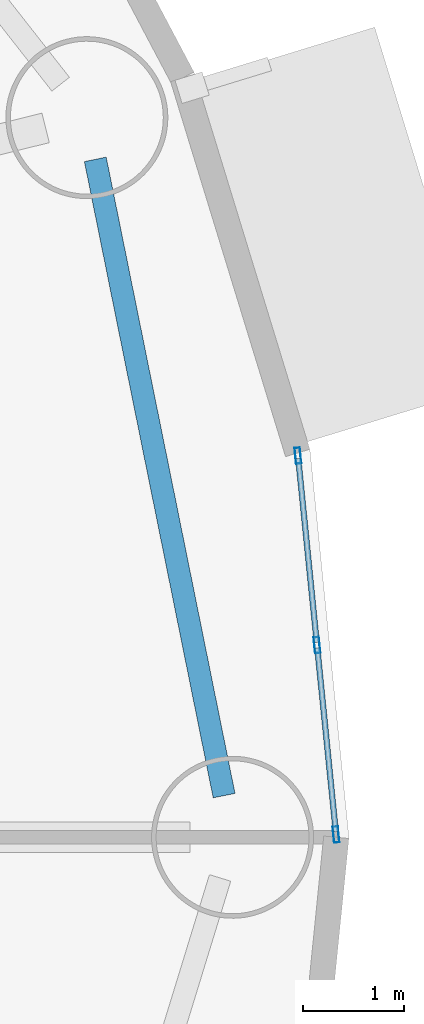
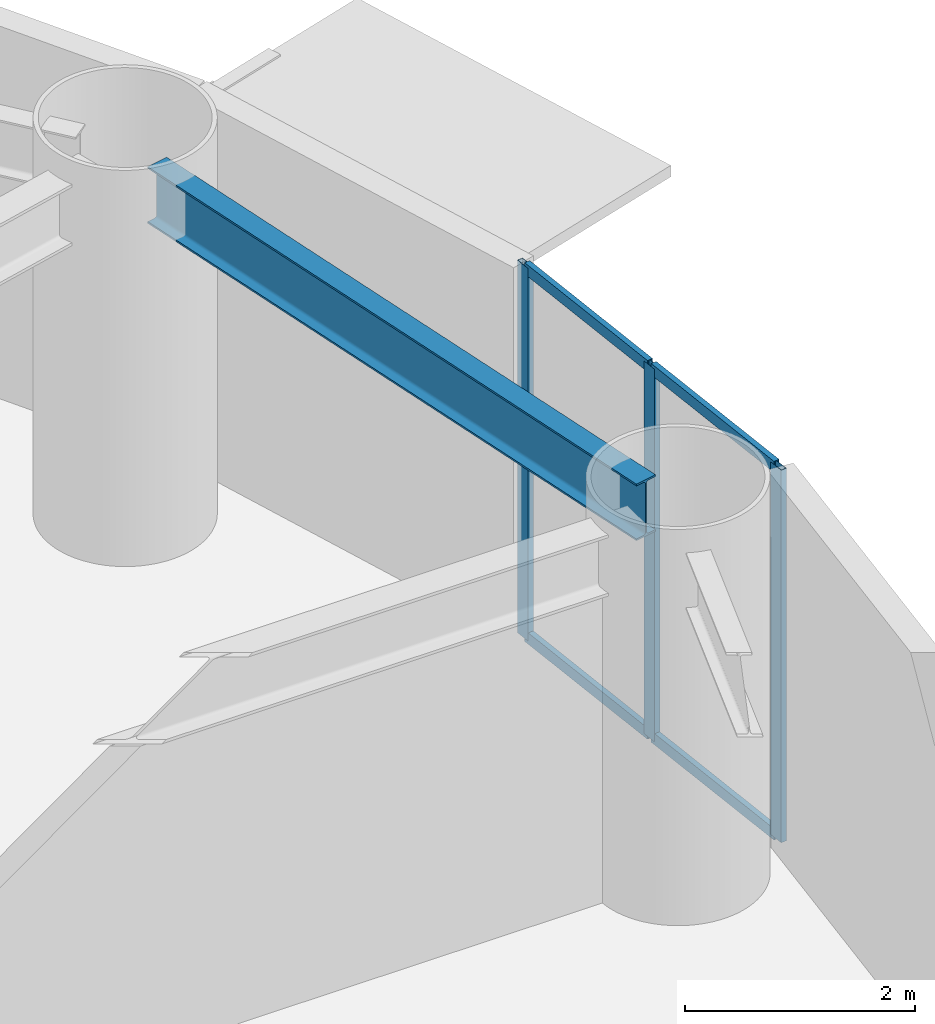
# One storey, part 8 of 32: 7 members, 1 beam, 1 element without a shape of its own.
"""IFC4 building model written with IfcOpenShell, lengths in metres."""

import ifcopenshell
import ifcopenshell.guid

model = None  # the IFC model being written
_history = None  # IfcOwnerHistory: only IFC2X3 demands one
_inside = {}  # id of a spatial element -> (the spatial element, [elements in it])
_under = {}  # id of a project, library or spatial element -> (it, [spatial elements below it])
_declared = {}  # id of a project -> (the project, [libraries it declares])
_typed = {}  # id of a type object -> (the type object, [elements of that type])
_made_of = {}  # id of a material, layer set ... -> (it, [elements and type objects made of it])


def new_model(schema):
    """Start an empty IFC model of exactly this schema.

    Asked for "IFC4X3", IfcOpenShell would pick the latest addendum, in which some entities
    have other attributes; the version numbers below select the first issue.
    IFC2X3 requires an IfcOwnerHistory on every rooted entity: one is made here for all.
    """
    global model, _history
    if schema == "IFC4X3":
        model = ifcopenshell.file(schema_version=(4, 3, 0, 0))
    else:
        model = ifcopenshell.file(schema=schema)
    _inside.clear()
    _under.clear()
    _declared.clear()
    _typed.clear()
    _made_of.clear()
    _history = None
    if model.schema == "IFC2X3":
        org = make("IfcOrganization", Name="unknown")
        user = make(
            "IfcPersonAndOrganization",
            ThePerson=make("IfcPerson", FamilyName="unknown"),
            TheOrganization=org,
        )
        app = make(
            "IfcApplication",
            ApplicationDeveloper=org,
            Version="unknown",
            ApplicationFullName="unknown",
            ApplicationIdentifier="unknown",
        )
        _history = make(
            "IfcOwnerHistory",
            OwningUser=user,
            OwningApplication=app,
            ChangeAction="ADDED",
            CreationDate=0,
        )
    return model


def make(cls, **values):
    """One entity of the class cls with the attributes given. An attribute that is None is left unset."""
    return model.create_entity(
        cls, **{name: value for name, value in values.items() if value is not None}
    )


def rooted(cls, **values):
    """An entity with a GlobalId (a new one), such as an element, a storey or a relation."""
    return make(cls, GlobalId=ifcopenshell.guid.new(), OwnerHistory=_history, **values)


def si_unit(unit_type, name, prefix=None):
    """IfcSIUnit, for example si_unit("LENGTHUNIT", "METRE", prefix="MILLI")."""
    return make("IfcSIUnit", UnitType=unit_type, Prefix=prefix, Name=name)


def assignment(units):
    """IfcUnitAssignment: the units of a project."""
    return None if units is None else make("IfcUnitAssignment", Units=units)


def point(xyz):
    """IfcCartesianPoint."""
    return None if xyz is None else make("IfcCartesianPoint", Coordinates=xyz)


def direction(xyz):
    """IfcDirection."""
    return None if xyz is None else make("IfcDirection", DirectionRatios=xyz)


def frame(location, z_axis=None, x_axis=None):
    """IfcAxis2Placement3D, a coordinate frame: its origin and axes. An axis left out is left unset."""
    return make(
        "IfcAxis2Placement3D",
        Location=point(location),
        Axis=direction(z_axis),
        RefDirection=direction(x_axis),
    )


def frame_2d(location, x_axis=None):
    """IfcAxis2Placement2D, a coordinate frame in the plane: its origin and x axis."""
    return make(
        "IfcAxis2Placement2D", Location=point(location), RefDirection=direction(x_axis)
    )


def origin():
    """The frame at (0, 0, 0) with its axes left unset."""
    return frame((0.0, 0.0, 0.0))


def origin_2d():
    """The frame at (0, 0) in the plane with its x axis left unset."""
    return frame_2d((0.0, 0.0))


def place(relative_to, where):
    """IfcLocalPlacement: puts the frame where relative to a parent placement (None: the world)."""
    return make(
        "IfcLocalPlacement", PlacementRelTo=relative_to, RelativePlacement=where
    )


def context(
    kind, dimensions, precision=None, world=None, true_north=None, identifier=None
):
    """IfcGeometricRepresentationContext, for example the 3D "Model" context."""
    return make(
        "IfcGeometricRepresentationContext",
        ContextIdentifier=identifier,
        ContextType=kind,
        CoordinateSpaceDimension=dimensions,
        Precision=precision,
        WorldCoordinateSystem=world,
        TrueNorth=true_north,
    )


def subcontext(parent, identifier, kind, view, scale=None):
    """IfcGeometricRepresentationSubContext, for example "Body" below "Model"."""
    return make(
        "IfcGeometricRepresentationSubContext",
        ContextIdentifier=identifier,
        ContextType=kind,
        ParentContext=parent,
        TargetScale=scale,
        TargetView=view,
    )


def project(units=None, contexts=None):
    """IfcProject with its units and contexts."""
    return rooted(
        "IfcProject",
        Name="project",
        RepresentationContexts=contexts,
        UnitsInContext=assignment(units),
    )


def spatial(cls, under=None, at=None, **own):
    """A site, building, storey or space (cls), placed at a placement, below another one or the project."""
    s = rooted(cls, ObjectPlacement=at, **own)
    if under is not None:
        _under.setdefault(under.id(), (under, []))[1].append(s)
    return s


def profile(cls, at=None, kind="AREA", **sizes):
    """A parametric profile (cls). Its sizes go by their IFC names, for example OverallWidth=200.0."""
    return make(cls, ProfileType=kind, Position=at, **sizes)


def hollow_rectangle(**sizes):
    """IfcRectangleHollowProfileDef."""
    return profile("IfcRectangleHollowProfileDef", **sizes)


def i_section(**sizes):
    """IfcIShapeProfileDef."""
    return profile("IfcIShapeProfileDef", **sizes)


def extrude(swept, where, along, depth):
    """IfcExtrudedAreaSolid: the profile swept, set in the frame where, extruded along a direction by depth."""
    return make(
        "IfcExtrudedAreaSolid",
        SweptArea=swept,
        Position=where,
        ExtrudedDirection=direction(along),
        Depth=depth,
    )


def shape(context_of_items, identifier, shape_type, items):
    """IfcShapeRepresentation: the items that make up one representation, for example the "Body"."""
    return make(
        "IfcShapeRepresentation",
        ContextOfItems=context_of_items,
        RepresentationIdentifier=identifier,
        RepresentationType=shape_type,
        Items=items,
    )


def source(mapping_origin, context_of_items, identifier, shape_type, items):
    """IfcRepresentationMap: a shape defined once, which mapped items show again and again."""
    return make(
        "IfcRepresentationMap",
        MappingOrigin=mapping_origin,
        MappedRepresentation=shape(context_of_items, identifier, shape_type, items),
    )


def transform(
    local_origin,
    x_axis=None,
    y_axis=None,
    z_axis=None,
    scale=None,
    scale2=None,
    scale3=None,
    uniform=True,
):
    """IfcCartesianTransformationOperator3D, or its non-uniform kind. x_axis, y_axis, z_axis: its Axis1, 2, 3."""
    if uniform:
        return make(
            "IfcCartesianTransformationOperator3D",
            Axis1=direction(x_axis),
            Axis2=direction(y_axis),
            LocalOrigin=point(local_origin),
            Scale=scale,
            Axis3=direction(z_axis),
        )
    return make(
        "IfcCartesianTransformationOperator3DnonUniform",
        Axis1=direction(x_axis),
        Axis2=direction(y_axis),
        LocalOrigin=point(local_origin),
        Scale=scale,
        Axis3=direction(z_axis),
        Scale2=scale2,
        Scale3=scale3,
    )


def mapped(mapping_source, mapping_target):
    """IfcMappedItem: shows the shape of a source again, moved by a transform."""
    return make(
        "IfcMappedItem", MappingSource=mapping_source, MappingTarget=mapping_target
    )


def material(Name=None, Category=None):
    """IfcMaterial."""
    return make("IfcMaterial", Name=Name, Category=Category)


def layer(
    of_material, thickness, ventilated=None, Name=None, Category=None, Priority=None
):
    """IfcMaterialLayer: one layer of a wall or slab, of a material (None: an air gap)."""
    return make(
        "IfcMaterialLayer",
        Material=of_material,
        LayerThickness=thickness,
        IsVentilated=ventilated,
        Name=Name,
        Category=Category,
        Priority=Priority,
    )


def layer_set(layers, Name=None):
    """IfcMaterialLayerSet."""
    return make("IfcMaterialLayerSet", MaterialLayers=layers, LayerSetName=Name)


def material_profile(
    of_material, cross_section, Name=None, Category=None, Priority=None
):
    """IfcMaterialProfile: a cross section and its material."""
    return make(
        "IfcMaterialProfile",
        Name=Name,
        Material=of_material,
        Profile=cross_section,
        Priority=Priority,
        Category=Category,
    )


def profile_set(profiles, Name=None, composite=None):
    """IfcMaterialProfileSet."""
    return make(
        "IfcMaterialProfileSet",
        Name=Name,
        MaterialProfiles=profiles,
        CompositeProfile=composite,
    )


def made_of(thing, what):
    """Note that an element or type object is made of a material, layer set ...; save() writes the relation."""
    if what is not None:
        _made_of.setdefault(what.id(), (what, []))[1].append(thing)
    return thing


def type_object(cls, material=None, **own):
    """A type object (cls), such as IfcWallType, which elements share."""
    return made_of(rooted(cls, **own), material)


def element(
    cls,
    number,
    at=None,
    inside=None,
    cuts=None,
    type_object=None,
    material=None,
    context=None,
    identifier="Body",
    shape_type=None,
    held_by="IfcProductDefinitionShape",
    body=None,
    shapes=None,
    **own,
):
    """One element of the class cls, such as IfcWall. Its Tag is "e" and its number.

    at: its placement. inside: the storey or other place that contains it. cuts: it is an
    opening in that element (IfcRelVoidsElement). A single representation is given by context,
    identifier, shape_type and body (its items); several are given by shapes. held_by: the class
    of the entity that holds the representations. save() writes the other relations.
    """
    e = rooted(cls, Tag="e%d" % number, ObjectPlacement=at, **own)
    if body is not None:
        shapes = [shape(context, identifier, shape_type, body)]
    if shapes is not None:
        e.Representation = make(held_by, Representations=shapes)
    if inside is not None:
        _inside.setdefault(inside.id(), (inside, []))[1].append(e)
    if cuts is not None:
        rooted(
            "IfcRelVoidsElement", RelatingBuildingElement=cuts, RelatedOpeningElement=e
        )
    if type_object is not None:
        _typed.setdefault(type_object.id(), (type_object, []))[1].append(e)
    return made_of(e, material)


def aggregate(whole, parts):
    """IfcRelAggregates: a whole, such as a stair, and the parts it consists of."""
    return rooted("IfcRelAggregates", RelatingObject=whole, RelatedObjects=parts)


def save(model, path):
    """Write the relations noted so far, then the file.

    IfcRelAggregates (storeys below a building ...), IfcRelContainedInSpatialStructure (elements
    in a storey), IfcRelDefinesByType, IfcRelAssociatesMaterial and IfcRelDeclares: one each for
    every whole, place, type object, material and project.
    """
    for whole, parts in _under.values():
        aggregate(whole, parts)
    for where, things in _inside.values():
        rooted(
            "IfcRelContainedInSpatialStructure",
            RelatedElements=things,
            RelatingStructure=where,
        )
    for kind, things in _typed.values():
        rooted("IfcRelDefinesByType", RelatedObjects=things, RelatingType=kind)
    for what, things in _made_of.values():
        rooted("IfcRelAssociatesMaterial", RelatedObjects=things, RelatingMaterial=what)
    for by, libraries in _declared.values():
        rooted("IfcRelDeclares", RelatingContext=by, RelatedDefinitions=libraries)
    model.write(path)


model = new_model("IFC4")

# Units and contexts
model_context = context("Model", 3, precision=1e-05, world=origin(), true_north=direction((0.0, 1.0)))
body_context = subcontext(model_context, "Body", "Model", "MODEL_VIEW")
ifc_project = project(units=[si_unit("LENGTHUNIT", "METRE"), si_unit("AREAUNIT", "SQUARE_METRE"), si_unit("VOLUMEUNIT", "CUBIC_METRE"), si_unit("PLANEANGLEUNIT", "RADIAN"), si_unit("MASSUNIT", "GRAM", prefix="KILO")], contexts=[model_context])

# Site, building, storey
site_placement = place(None, origin())
site = spatial("IfcSite", under=ifc_project, at=site_placement, CompositionType="ELEMENT")
building_placement = place(site_placement, origin())
building = spatial("IfcBuilding", under=site, at=building_placement, Name="Linh Dai School and Residence Tower", CompositionType="ELEMENT")
storey_placement = place(building_placement, frame((0.0, 0.0, 53.39990234375)))
storey = spatial("IfcBuildingStorey", under=building, at=storey_placement, Name="L12", CompositionType="ELEMENT", Elevation=53.39990234375)

# Beam
ifc_material_1 = material(Name="Structural Steel S355JR", Category="steel")
ifc_material_profile_1 = material_profile(ifc_material_1, i_section(OverallWidth=0.219970703125, OverallDepth=0.60009765625, WebThickness=0.011962890625, FlangeThickness=0.01904296875, FilletRadius=0.02392578125, at=origin_2d()), Name="IPE 600")
ifc_profile_set_1 = profile_set([ifc_material_profile_1], Name="Structural Steel S355JR")
beam_type = type_object("IfcBeamType", Name="BM-RB60", PredefinedType="BEAM", material=ifc_profile_set_1)
beam_placement = place(storey_placement, frame((65.966552734375, 27.41162109375, 3.650146484375), z_axis=(-0.198429171022, 0.980115230005, 0.0), x_axis=(-0.980115230005, -0.198429171022, 0.0)))
element("IfcBeam", 1, at=beam_placement, inside=storey, type_object=beam_type, Name="L12 Perimeter Elliptical Ring Beam 01", PredefinedType="BEAM", context=body_context, shape_type="SweptSolid", body=[
    extrude(i_section(OverallWidth=0.219970703125, OverallDepth=0.60009765625, WebThickness=0.011962890625, FlangeThickness=0.01904296875, FilletRadius=0.02392578125, at=origin_2d()), origin(), (0.0, 0.0, 1.0), 6.41259765625),
])

# Curtain wall, members
ifc_material_2 = material(Name="Aluminium Anodised Curtain Wall", Category="aluminium")
ifc_layer = layer(ifc_material_2, 0.159912109375)
ifc_layer_set = layer_set([ifc_layer], Name="Aluminium Anodised Curtain Wall")
curtain_wall_type = type_object("IfcCurtainWallType", Name="CW-SYS-3", PredefinedType="USERDEFINED", material=ifc_layer_set)
curtain_wall_placement = place(storey_placement, origin())
curtain_wall = element("IfcCurtainWall", 2, at=curtain_wall_placement, inside=storey, type_object=curtain_wall_type, Name="L12 CW3 Curtain Wall 01", ObjectType="RIBBON CURTAIN WALL", PredefinedType="USERDEFINED")
ifc_material_3 = material(Name="Aluminium Alloy 6063-T6", Category="aluminium")
ifc_material_profile_2 = material_profile(ifc_material_3, hollow_rectangle(XDim=0.054931640625, YDim=0.159912109375, WallThickness=0.00390625, at=origin_2d()), Name="RHS 160x55x4")
ifc_profile_set_2 = profile_set([ifc_material_profile_2], Name="Aluminium Alloy 6063-T6")
member_type_1 = type_object("IfcMemberType", Name="CW-SYS-3-MUL", PredefinedType="MULLION", material=ifc_profile_set_2)
shared_shape_1 = source(origin(), body_context, "Body", "SweptSolid", [
    extrude(hollow_rectangle(XDim=0.054931640625, YDim=0.159912109375, WallThickness=0.00390625, at=origin_2d()), origin(), (0.0, 0.0, 1.0), 3.9501953125),
])
member_1_placement = place(storey_placement, frame((66.696044921875, 30.76953125, 0.0), z_axis=(0.0, 0.0, 1.0), x_axis=(0.994986493533, 0.100009387998, 0.0)))
member_1 = element("IfcMember", 3, at=member_1_placement, type_object=member_type_1, Name="CW3 mullion 1", PredefinedType="MULLION", context=body_context, shape_type="MappedRepresentation", body=[
    mapped(shared_shape_1, transform((0.0, 0.0, 0.0), x_axis=(1.0, 0.0, 0.0), y_axis=(0.0, 1.0, 0.0), z_axis=(0.0, 0.0, 1.0), scale=1.0)),
])
member_2_placement = place(storey_placement, frame((66.88427734375, 28.8984375, 0.0), z_axis=(0.0, 0.0, 1.0), x_axis=(0.994986493533, 0.100009387998, 0.0)))
member_2 = element("IfcMember", 4, at=member_2_placement, type_object=member_type_1, Name="CW3 mullion 2", PredefinedType="MULLION", context=body_context, shape_type="MappedRepresentation", body=[
    mapped(shared_shape_1, transform((0.0, 0.0, 0.0), x_axis=(1.0, 0.0, 0.0), y_axis=(0.0, 1.0, 0.0), z_axis=(0.0, 0.0, 1.0), scale=1.0)),
])
member_3_placement = place(storey_placement, frame((67.072265625, 27.02734375, 0.0), z_axis=(0.0, 0.0, 1.0), x_axis=(0.994986493533, 0.100009387998, 0.0)))
member_3 = element("IfcMember", 5, at=member_3_placement, type_object=member_type_1, Name="CW3 mullion 3", PredefinedType="MULLION", context=body_context, shape_type="MappedRepresentation", body=[
    mapped(shared_shape_1, transform((0.0, 0.0, 0.0), x_axis=(1.0, 0.0, 0.0), y_axis=(0.0, 1.0, 0.0), z_axis=(0.0, 0.0, 1.0), scale=1.0)),
])
ifc_material_profile_3 = material_profile(ifc_material_3, hollow_rectangle(XDim=0.054931640625, YDim=0.1201171875, WallThickness=0.00390625, at=origin_2d()), Name="RHS 120x55x4")
ifc_profile_set_3 = profile_set([ifc_material_profile_3], Name="Aluminium Alloy 6063-T6")
member_type_2 = type_object("IfcMemberType", Name="CW-SYS-3-TRN", PredefinedType="USERDEFINED", material=ifc_profile_set_3)
shared_shape_2 = source(origin(), body_context, "Body", "SweptSolid", [
    extrude(hollow_rectangle(XDim=0.054931640625, YDim=0.1201171875, WallThickness=0.00390625, at=origin_2d()), origin(), (0.0, 0.0, 1.0), 1.825439453125),
])
member_4_placement = place(storey_placement, frame((66.698974609375, 30.7421875, 0.027587890625), z_axis=(0.099900947353, -0.994997387292, 0.0), x_axis=(0.994997387292, 0.099900947353, 0.0)))
member_4 = element("IfcMember", 6, at=member_4_placement, type_object=member_type_2, Name="CW3 transom 1.1", ObjectType="TRANSOM", PredefinedType="USERDEFINED", context=body_context, shape_type="MappedRepresentation", body=[
    mapped(shared_shape_2, transform((0.0, 0.0, 0.0), x_axis=(1.0, 0.0, 0.0), y_axis=(0.0, 1.0, 0.0), z_axis=(0.0, 0.0, 1.0), scale=1.0)),
])
member_5_placement = place(storey_placement, frame((66.698974609375, 30.7421875, 3.922607421875), z_axis=(0.099900947353, -0.994997387292, 0.0), x_axis=(0.994997387292, 0.099900947353, 0.0)))
member_5 = element("IfcMember", 7, at=member_5_placement, type_object=member_type_2, Name="CW3 transom 1.2", ObjectType="TRANSOM", PredefinedType="USERDEFINED", context=body_context, shape_type="MappedRepresentation", body=[
    mapped(shared_shape_2, transform((0.0, 0.0, 0.0), x_axis=(1.0, 0.0, 0.0), y_axis=(0.0, 1.0, 0.0), z_axis=(0.0, 0.0, 1.0), scale=1.0)),
])
shared_shape_3 = source(origin(), body_context, "Body", "SweptSolid", [
    extrude(hollow_rectangle(XDim=0.054931640625, YDim=0.1201171875, WallThickness=0.00390625, at=origin_2d()), origin(), (0.0, 0.0, 1.0), 1.82568359375),
])
member_6_placement = place(storey_placement, frame((66.886962890625, 28.87109375, 0.027587890625), z_axis=(0.100033346193, -0.994984085124, 0.0), x_axis=(0.994984085124, 0.100033346193, 0.0)))
member_6 = element("IfcMember", 8, at=member_6_placement, type_object=member_type_2, Name="CW3 transom 2.1", ObjectType="TRANSOM", PredefinedType="USERDEFINED", context=body_context, shape_type="MappedRepresentation", body=[
    mapped(shared_shape_3, transform((0.0, 0.0, 0.0), x_axis=(1.0, 0.0, 0.0), y_axis=(0.0, 1.0, 0.0), z_axis=(0.0, 0.0, 1.0), scale=1.0)),
])
member_7_placement = place(storey_placement, frame((66.886962890625, 28.87109375, 3.922607421875), z_axis=(0.100033346193, -0.994984085124, 0.0), x_axis=(0.994984085124, 0.100033346193, 0.0)))
member_7 = element("IfcMember", 9, at=member_7_placement, type_object=member_type_2, Name="CW3 transom 2.2", ObjectType="TRANSOM", PredefinedType="USERDEFINED", context=body_context, shape_type="MappedRepresentation", body=[
    mapped(shared_shape_3, transform((0.0, 0.0, 0.0), x_axis=(1.0, 0.0, 0.0), y_axis=(0.0, 1.0, 0.0), z_axis=(0.0, 0.0, 1.0), scale=1.0)),
])
aggregate(curtain_wall, [member_1, member_2, member_3, member_4, member_5, member_6, member_7])

save(model, "model.ifc")
